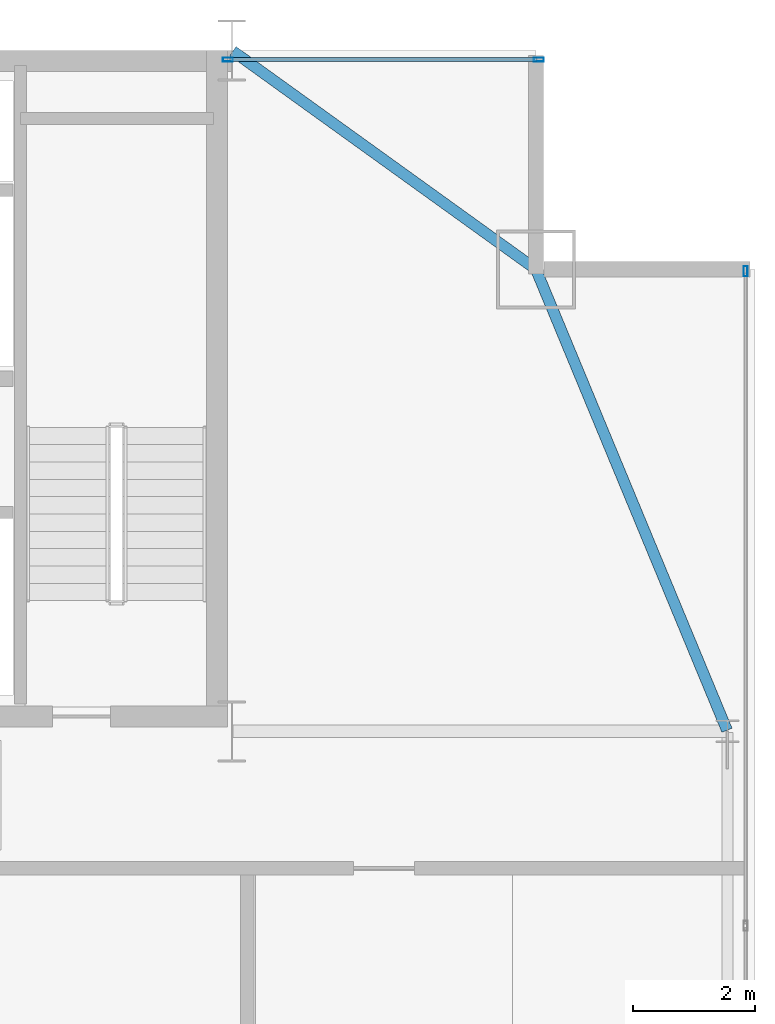
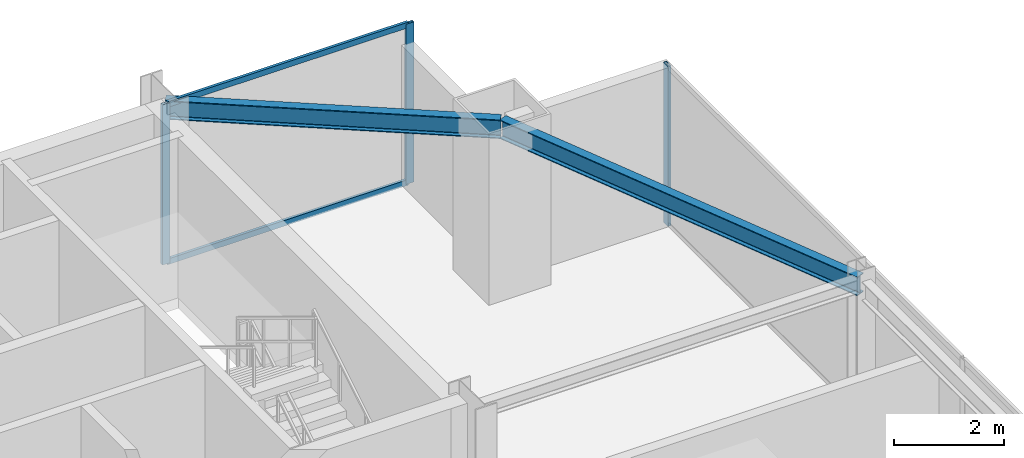
# One storey, part 21 of 29: 5 members, 2 beams, 2 elements without a shape of their own.
"""IFC4 building model written with IfcOpenShell, lengths in metres."""

from ifc_helpers import new_model, si_unit, direction, frame, origin, origin_2d, place, context, subcontext, project, spatial, hollow_rectangle, i_section, extrude, source, transform, mapped, material, layer, layer_set, material_profile, profile_set, type_object, type_shapes, element, aggregate, save


model = new_model("IFC4")

# Units and contexts
model_context = context("Model", 3, precision=1e-05, world=origin(), true_north=direction((0.0, 1.0)))
body_context = subcontext(model_context, "Body", "Model", "MODEL_VIEW")
ifc_project = project(units=[si_unit("LENGTHUNIT", "METRE"), si_unit("AREAUNIT", "SQUARE_METRE"), si_unit("VOLUMEUNIT", "CUBIC_METRE"), si_unit("PLANEANGLEUNIT", "RADIAN"), si_unit("MASSUNIT", "GRAM", prefix="KILO")], contexts=[model_context])

# Site, building, storey
site_placement = place(None, origin())
site = spatial("IfcSite", under=ifc_project, at=site_placement, CompositionType="ELEMENT")
building_placement = place(site_placement, origin())
building = spatial("IfcBuilding", under=site, at=building_placement, Name="Varnel Quay Broadcast Tower", CompositionType="ELEMENT")
storey_placement = place(building_placement, frame((0.0, 0.0, 172.39990234375)))
storey = spatial("IfcBuildingStorey", under=building, at=storey_placement, Name="L42", CompositionType="ELEMENT", Elevation=172.39990234375)

# Beams
ifc_material_1 = material(Name="Structural Steel CSA G40.21 350W", Category="steel")
ifc_material_profile_1 = material_profile(ifc_material_1, i_section(OverallWidth=0.180908203125, OverallDepth=0.4169921875, WebThickness=0.010986328125, FlangeThickness=0.018310546875, FilletRadius=0.011962890625, at=origin_2d()), Name="W410X85")
ifc_profile_set_1 = profile_set([ifc_material_profile_1], Name="Structural Steel CSA G40.21 350W")
beam_type = type_object("IfcBeamType", Name="Beam_W410X85", PredefinedType="SPANDREL", material=ifc_profile_set_1)
shared_shape_1 = source(origin(), body_context, "Body", "SweptSolid", [
    extrude(i_section(OverallWidth=0.180908203125, OverallDepth=0.4169921875, WebThickness=0.010986328125, FlangeThickness=0.018310546875, FilletRadius=0.011962890625, at=origin_2d()), origin(), (0.0, 0.0, 1.0), 8.186767578125),
])
beam_1_placement = place(storey_placement, frame((60.542236328125, 35.618408203125, 3.341552734375), z_axis=(-0.382874132092, 0.923800519038, 0.0), x_axis=(-0.923800519038, -0.382874132092, 0.0)))
element("IfcBeam", 1, at=beam_1_placement, inside=storey, type_object=beam_type, Name="L42 East Spandrel TC-E3-MC-NE", PredefinedType="SPANDREL", context=body_context, shape_type="MappedRepresentation", body=[
    mapped(shared_shape_1, transform((0.0, 0.0, 0.0), x_axis=(1.0, 0.0, 0.0), y_axis=(0.0, 1.0, 0.0), z_axis=(0.0, 0.0, 1.0), scale=1.0)),
])
shared_shape_2 = source(origin(), body_context, "Body", "SweptSolid", [
    extrude(i_section(OverallWidth=0.180908203125, OverallDepth=0.4169921875, WebThickness=0.010986328125, FlangeThickness=0.018310546875, FilletRadius=0.011962890625, at=origin_2d()), origin(), (0.0, 0.0, 1.0), 6.12109375),
])
type_shapes(beam_type, [shared_shape_1, shared_shape_2])
beam_2_placement = place(storey_placement, frame((52.416259765625, 46.788330078125, 3.341552734375), z_axis=(0.811531315425, -0.584308928637, 0.0), x_axis=(0.584308928637, 0.811531315425, 0.0)))
element("IfcBeam", 2, at=beam_2_placement, inside=storey, type_object=beam_type, Name="L42 NE Tie Spandrel", PredefinedType="SPANDREL", context=body_context, shape_type="MappedRepresentation", body=[
    mapped(shared_shape_2, transform((0.0, 0.0, 0.0), x_axis=(1.0, 0.0, 0.0), y_axis=(0.0, 1.0, 0.0), z_axis=(0.0, 0.0, 1.0), scale=1.0)),
])

# Curtain wall, member
ifc_material_2 = material(Name="Anodised Bronze Aluminium 6063-T6", Category="aluminium")
ifc_layer = layer(ifc_material_2, 0.18994140625, Name="Anodised Bronze Aluminium 6063-T6")
ifc_layer_set = layer_set([ifc_layer], Name="Anodised Bronze Aluminium 6063-T6")
curtain_wall_type = type_object("IfcCurtainWallType", Name="CW_UpperTower", PredefinedType="NOTDEFINED", material=ifc_layer_set)
curtain_wall_1_placement = place(storey_placement, origin())
curtain_wall_1 = element("IfcCurtainWall", 3, at=curtain_wall_1_placement, inside=storey, type_object=curtain_wall_type, Name="L42 East Unitised Curtain Wall", PredefinedType="NOTDEFINED")
ifc_material_profile_2 = material_profile(ifc_material_2, hollow_rectangle(XDim=0.06494140625, YDim=0.1650390625, WallThickness=0.00341796875, at=origin_2d()), Name="ALU65X165X3.5")
ifc_profile_set_2 = profile_set([ifc_material_profile_2], Name="Anodised Bronze Aluminium 6063-T6")
member_type_1 = type_object("IfcMemberType", Name="Mull_CWS-03", PredefinedType="MULLION", material=ifc_profile_set_2)
shared_shape_3 = source(origin(), body_context, "Body", "SweptSolid", [
    extrude(hollow_rectangle(XDim=0.06494140625, YDim=0.1650390625, WallThickness=0.00341796875, at=origin_2d()), origin(), (0.0, 0.0, 1.0), 3.550048828125),
])
type_shapes(member_type_1, [shared_shape_3])
member_1_placement = place(storey_placement, frame((60.85009765625, 43.16748046875, 0.0), z_axis=(0.0, 0.0, 1.0), x_axis=(-1.0, 0.0, 0.0)))
member_1 = element("IfcMember", 4, at=member_1_placement, type_object=member_type_1, Name="CWS-03 mullion 4", PredefinedType="MULLION", context=body_context, shape_type="MappedRepresentation", body=[
    mapped(shared_shape_3, transform((0.0, 0.0, 0.0), x_axis=(1.0, 0.0, 0.0), y_axis=(0.0, 1.0, 0.0), z_axis=(0.0, 0.0, 1.0), scale=1.0)),
])
aggregate(curtain_wall_1, [member_1])

# Curtain wall, members
curtain_wall_2_placement = place(storey_placement, origin())
curtain_wall_2 = element("IfcCurtainWall", 5, at=curtain_wall_2_placement, inside=storey, type_object=curtain_wall_type, Name="L42 NE Wing Curtain Wall", PredefinedType="NOTDEFINED")
member_2_placement = place(storey_placement, frame((52.33251953125, 46.64990234375, 0.0), z_axis=(0.0, 0.0, 1.0), x_axis=(0.0, 1.0, 0.0)))
member_2 = element("IfcMember", 6, at=member_2_placement, type_object=member_type_1, Name="CWS-03 mullion 1", PredefinedType="MULLION", context=body_context, shape_type="MappedRepresentation", body=[
    mapped(shared_shape_3, transform((0.0, 0.0, 0.0), x_axis=(1.0, 0.0, 0.0), y_axis=(0.0, 1.0, 0.0), z_axis=(0.0, 0.0, 1.0), scale=1.0)),
])
member_3_placement = place(storey_placement, frame((57.447509765625, 46.64990234375, 0.0), z_axis=(0.0, 0.0, 1.0), x_axis=(0.0, 1.0, 0.0)))
member_3 = element("IfcMember", 7, at=member_3_placement, type_object=member_type_1, Name="CWS-03 mullion 2", PredefinedType="MULLION", context=body_context, shape_type="MappedRepresentation", body=[
    mapped(shared_shape_3, transform((0.0, 0.0, 0.0), x_axis=(1.0, 0.0, 0.0), y_axis=(0.0, 1.0, 0.0), z_axis=(0.0, 0.0, 1.0), scale=1.0)),
])
ifc_material_profile_3 = material_profile(ifc_material_2, hollow_rectangle(XDim=0.06005859375, YDim=0.125, WallThickness=0.0029296875, at=origin_2d()), Name="ALU60X125X3")
ifc_profile_set_3 = profile_set([ifc_material_profile_3], Name="Anodised Bronze Aluminium 6063-T6")
member_type_2 = type_object("IfcMemberType", Name="Tran_CWS-03", PredefinedType="USERDEFINED", material=ifc_profile_set_3)
shared_shape_4 = source(origin(), body_context, "Body", "SweptSolid", [
    extrude(hollow_rectangle(XDim=0.06005859375, YDim=0.125, WallThickness=0.0029296875, at=origin_2d()), origin(), (0.0, 0.0, 1.0), 5.050048828125),
])
type_shapes(member_type_2, [shared_shape_4])
member_4_placement = place(storey_placement, frame((52.364990234375, 46.64990234375, 0.030029296875), z_axis=(1.0, 0.0, 0.0), x_axis=(0.0, 1.0, 0.0)))
member_4 = element("IfcMember", 8, at=member_4_placement, type_object=member_type_2, Name="CWS-03 transom 1.1", ObjectType="TRANSOM", PredefinedType="USERDEFINED", context=body_context, shape_type="MappedRepresentation", body=[
    mapped(shared_shape_4, transform((0.0, 0.0, 0.0), x_axis=(1.0, 0.0, 0.0), y_axis=(0.0, 1.0, 0.0), z_axis=(0.0, 0.0, 1.0), scale=1.0)),
])
member_5_placement = place(storey_placement, frame((52.364990234375, 46.64990234375, 3.52001953125), z_axis=(1.0, 0.0, 0.0), x_axis=(0.0, 1.0, 0.0)))
member_5 = element("IfcMember", 9, at=member_5_placement, type_object=member_type_2, Name="CWS-03 transom 1.2", ObjectType="TRANSOM", PredefinedType="USERDEFINED", context=body_context, shape_type="MappedRepresentation", body=[
    mapped(shared_shape_4, transform((0.0, 0.0, 0.0), x_axis=(1.0, 0.0, 0.0), y_axis=(0.0, 1.0, 0.0), z_axis=(0.0, 0.0, 1.0), scale=1.0)),
])
aggregate(curtain_wall_2, [member_2, member_3, member_4, member_5])

save(model, "model.ifc")
